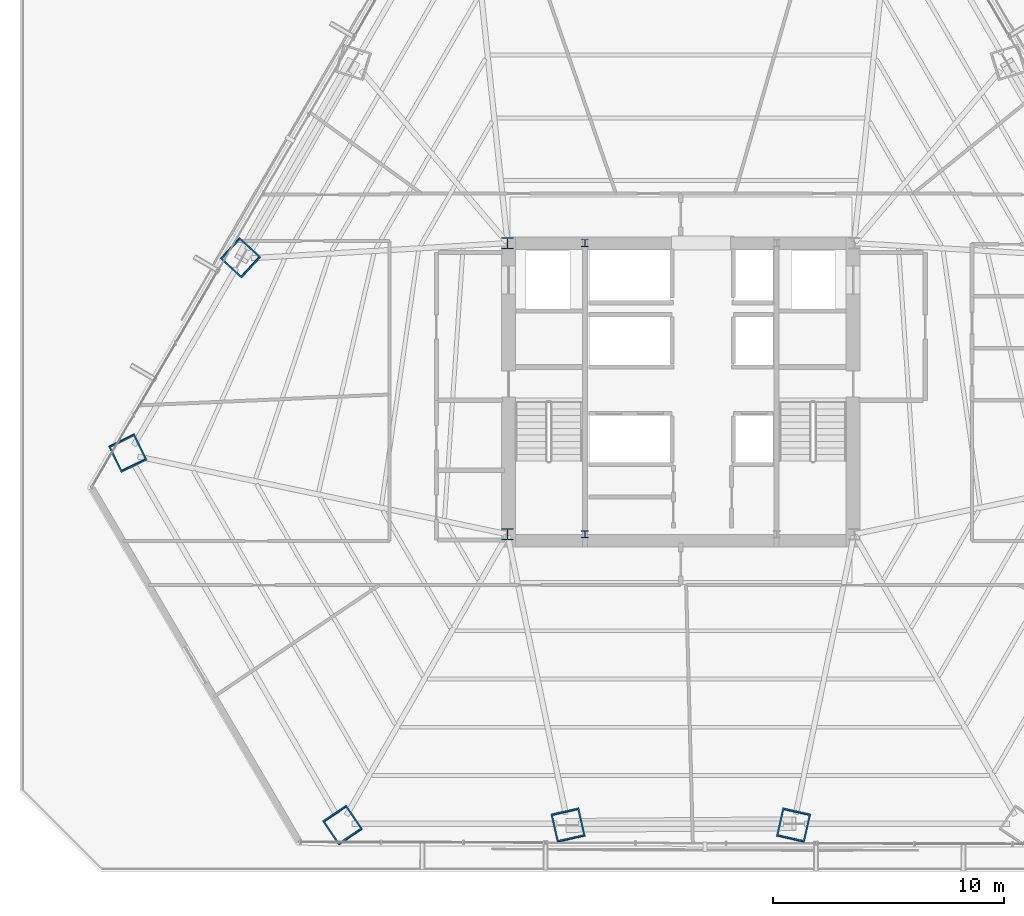
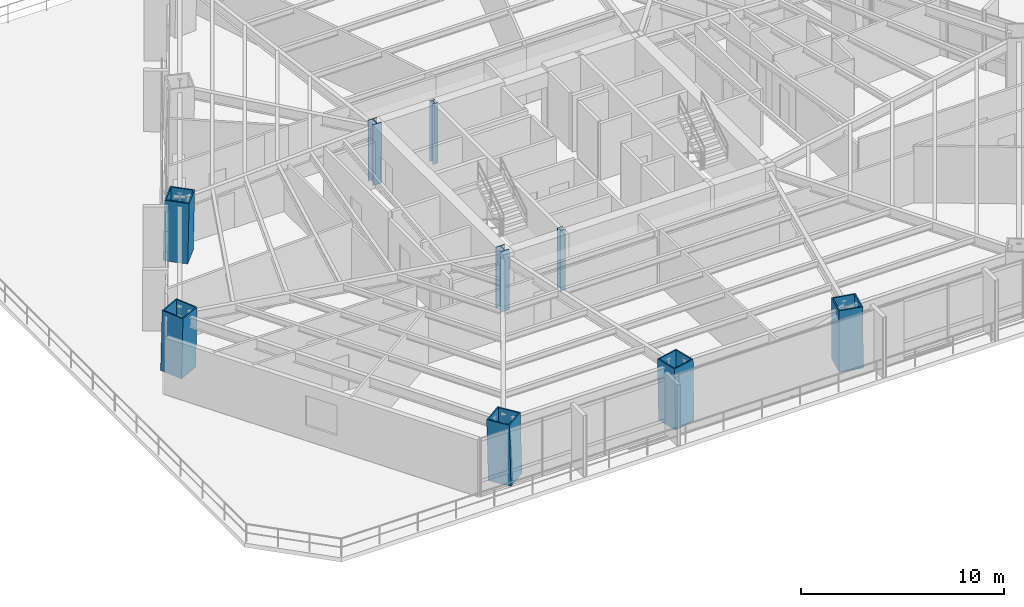
# One storey, part 1 of 35: 9 columns.
"""IFC4 building model written with IfcOpenShell, lengths in metres."""

from ifc_helpers import new_model, si_unit, direction, frame, origin, origin_2d, place, context, subcontext, project, spatial, hollow_rectangle, i_section, extrude, source, transform, mapped, material, material_profile, profile_set, type_object, type_shapes, element, save


model = new_model("IFC4")

# Units and contexts
model_context = context("Model", 3, precision=1e-05, world=origin(), true_north=direction((0.0, 1.0)))
body_context = subcontext(model_context, "Body", "Model", "MODEL_VIEW")
ifc_project = project(units=[si_unit("LENGTHUNIT", "METRE"), si_unit("AREAUNIT", "SQUARE_METRE"), si_unit("VOLUMEUNIT", "CUBIC_METRE"), si_unit("PLANEANGLEUNIT", "RADIAN"), si_unit("MASSUNIT", "GRAM", prefix="KILO")], contexts=[model_context])

# Site, building, storey
site_placement = place(None, origin())
site = spatial("IfcSite", under=ifc_project, at=site_placement, CompositionType="ELEMENT")
building_placement = place(site_placement, origin())
building = spatial("IfcBuilding", under=site, at=building_placement, Name="Caelisora Broadcast Tower", CompositionType="ELEMENT")
storey_placement = place(building_placement, frame((0.0, 0.0, 27.60009765625)))
storey = spatial("IfcBuildingStorey", under=building, at=storey_placement, Name="L06", CompositionType="ELEMENT", Elevation=27.60009765625)

# Columns
ifc_material_1 = material(Name="Steel Grade 350 (AS/NZS 3679.2)", Category="steel")
ifc_material_profile_1 = material_profile(ifc_material_1, i_section(OverallWidth=0.5, OverallDepth=0.5, WebThickness=0.028076171875, FlangeThickness=0.0400390625, at=origin_2d()), Name="Steel Grade 350 (AS/NZS 3679.2)")
ifc_profile_set_1 = profile_set([ifc_material_profile_1], Name="Steel Grade 350 (AS/NZS 3679.2)")
column_type_1 = type_object("IfcColumnType", Name="CC01", PredefinedType="COLUMN", material=ifc_profile_set_1)
shared_shape_1 = source(origin(), body_context, "Body", "SweptSolid", [
    extrude(i_section(OverallWidth=0.5, OverallDepth=0.5, WebThickness=0.028076171875, FlangeThickness=0.0400390625, at=origin_2d()), origin(), (0.0, 0.0, 1.0), 3.64990234375),
])
type_shapes(column_type_1, [shared_shape_1])
for number, where, z_axis, x_axis, name in (
    (1, (30.5, 17.39990234375, 0.0), (0.0, 0.0, 1.0), (1.0, 0.0, 0.0), "L06 column CC01"),
    (2, (30.5, 30.0, 0.0), (0.0, 0.0, 1.0), (1.0, 0.0, 0.0), "L06 column CC01"),
):
    element("IfcColumn", number, at=place(storey_placement, frame(where, z_axis=z_axis, x_axis=x_axis)), inside=storey, type_object=column_type_1, Name=name, PredefinedType="COLUMN", context=body_context, shape_type="MappedRepresentation", body=[
        mapped(shared_shape_1, transform((0.0, 0.0, 0.0), scale=1.0)),
    ])
ifc_material_2 = material(Name="Steel Grade 350 (AS/NZS 3679.1)", Category="steel")
ifc_material_profile_2 = material_profile(ifc_material_2, i_section(OverallWidth=0.306884765625, OverallDepth=0.314697265625, WebThickness=0.011962890625, FlangeThickness=0.018798828125, at=origin_2d()), Name="Steel Grade 350 (AS/NZS 3679.1)")
ifc_profile_set_2 = profile_set([ifc_material_profile_2], Name="Steel Grade 350 (AS/NZS 3679.1)")
column_type_2 = type_object("IfcColumnType", Name="CC04", PredefinedType="COLUMN", material=ifc_profile_set_2)
shared_shape_2 = source(origin(), body_context, "Body", "SweptSolid", [
    extrude(i_section(OverallWidth=0.306884765625, OverallDepth=0.314697265625, WebThickness=0.011962890625, FlangeThickness=0.018798828125, at=origin_2d()), origin(), (0.0, 0.0, 1.0), 3.64990234375),
])
type_shapes(column_type_2, [shared_shape_2])
for number, where, z_axis, x_axis, name in (
    (3, (33.85009765625, 17.39990234375, 0.0), (0.0, 0.0, 1.0), (1.0, 0.0, 0.0), "L06 column CC04"),
    (4, (33.85009765625, 30.0, 0.0), (0.0, 0.0, 1.0), (1.0, 0.0, 0.0), "L06 column CC04"),
):
    element("IfcColumn", number, at=place(storey_placement, frame(where, z_axis=z_axis, x_axis=x_axis)), inside=storey, type_object=column_type_2, Name=name, PredefinedType="COLUMN", context=body_context, shape_type="MappedRepresentation", body=[
        mapped(shared_shape_2, transform((0.0, 0.0, 0.0), scale=1.0)),
    ])
ifc_material_3 = material(Name="Steel Grade 350 L15 (AS/NZS 3678)", Category="steel")
ifc_material_profile_3 = material_profile(ifc_material_3, hollow_rectangle(XDim=1.25, YDim=1.25, WallThickness=0.070068359375, at=origin_2d()), Name="Steel Grade 350 L15 (AS/NZS 3678)")
ifc_profile_set_3 = profile_set([ifc_material_profile_3], Name="Steel Grade 350 L15 (AS/NZS 3678)")
column_type_3 = type_object("IfcColumnType", Name="MC02", PredefinedType="COLUMN", material=ifc_profile_set_3)
shared_shape_3 = source(origin(), body_context, "Body", "SweptSolid", [
    extrude(hollow_rectangle(XDim=1.25, YDim=1.25, WallThickness=0.070068359375, at=origin_2d()), origin(), (0.0, 0.0, 1.0), 3.65087890625),
])
for number, where, z_axis, x_axis, name in (
    (5, (14.05615234375, 20.927978515625, 0.0), (0.010431795422, -0.021532295679, 0.999713727968), (0.899947055326, 0.435999194506, 0.0), "L06 column MC02"),
    (6, (23.36767578125, 4.800048828125, 0.0), (-0.013440967269, 0.019793663242, 0.999713734673), (-0.827290216258, -0.561774775229, 0.0), "L06 column MC02"),
):
    element("IfcColumn", number, at=place(storey_placement, frame(where, z_axis=z_axis, x_axis=x_axis)), inside=storey, type_object=column_type_3, Name=name, PredefinedType="COLUMN", context=body_context, shape_type="MappedRepresentation", body=[
        mapped(shared_shape_3, transform((0.0, 0.0, 0.0), scale=1.0)),
    ])
shared_shape_4 = source(origin(), body_context, "Body", "SweptSolid", [
    extrude(hollow_rectangle(XDim=1.25, YDim=1.25, WallThickness=0.070068359375, at=origin_2d()), origin(), (0.0, 0.0, 1.0), 3.650634765625),
])
type_shapes(column_type_3, [shared_shape_3, shared_shape_4])
for number, where, z_axis, x_axis, name in (
    (7, (18.93359375, 29.3759765625, 0.0), (0.014913313399, -0.013776424037, 0.999793880369), (0.678553674548, 0.734550822447, 0.0), "L06 column MC02"),
    (8, (33.12255859375, 4.800048828125, 0.0), (-0.004480682206, 0.019795252729, 0.999794014513), (-0.975326687046, -0.220766513622, 0.0), "L06 column MC02"),
    (9, (42.87744140625, 4.800048828125, 0.0), (0.004480682206, 0.019795252729, 0.999794014513), (-0.975326687046, 0.220766513622, 0.0), "L06 column MC02"),
):
    element("IfcColumn", number, at=place(storey_placement, frame(where, z_axis=z_axis, x_axis=x_axis)), inside=storey, type_object=column_type_3, Name=name, PredefinedType="COLUMN", context=body_context, shape_type="MappedRepresentation", body=[
        mapped(shared_shape_4, transform((0.0, 0.0, 0.0), scale=1.0)),
    ])

save(model, "model.ifc")
